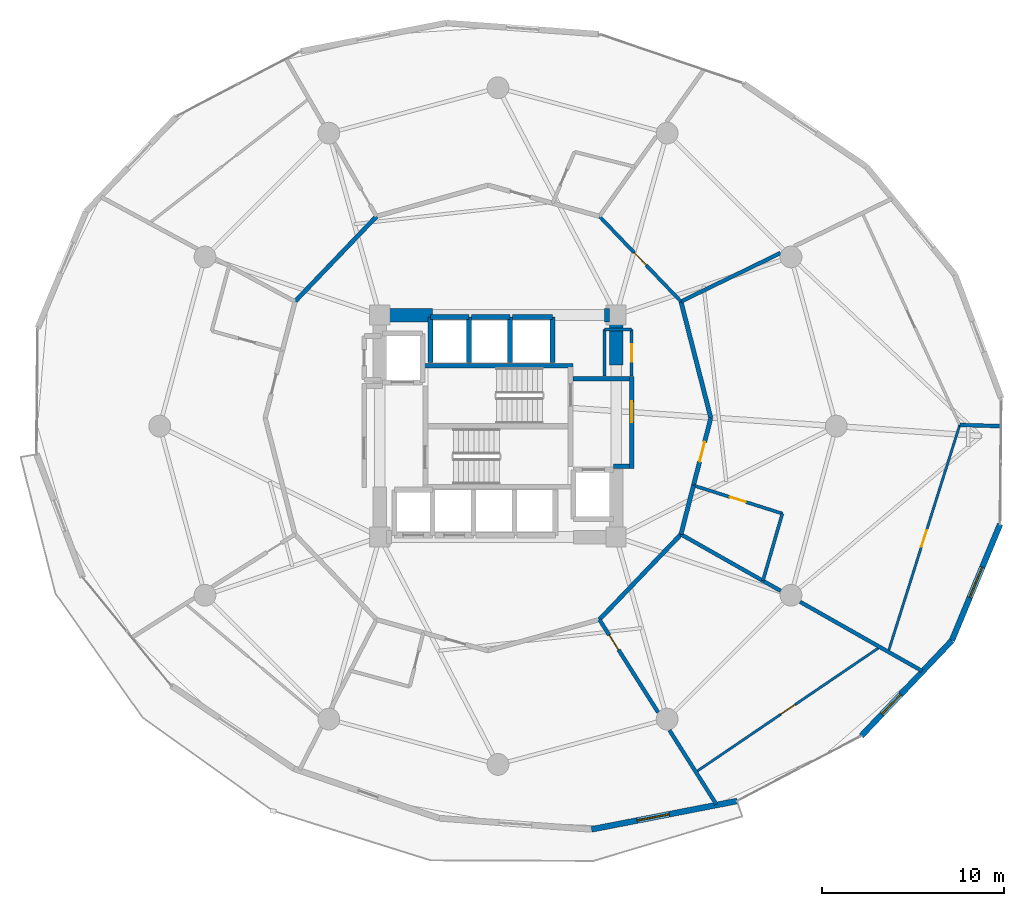
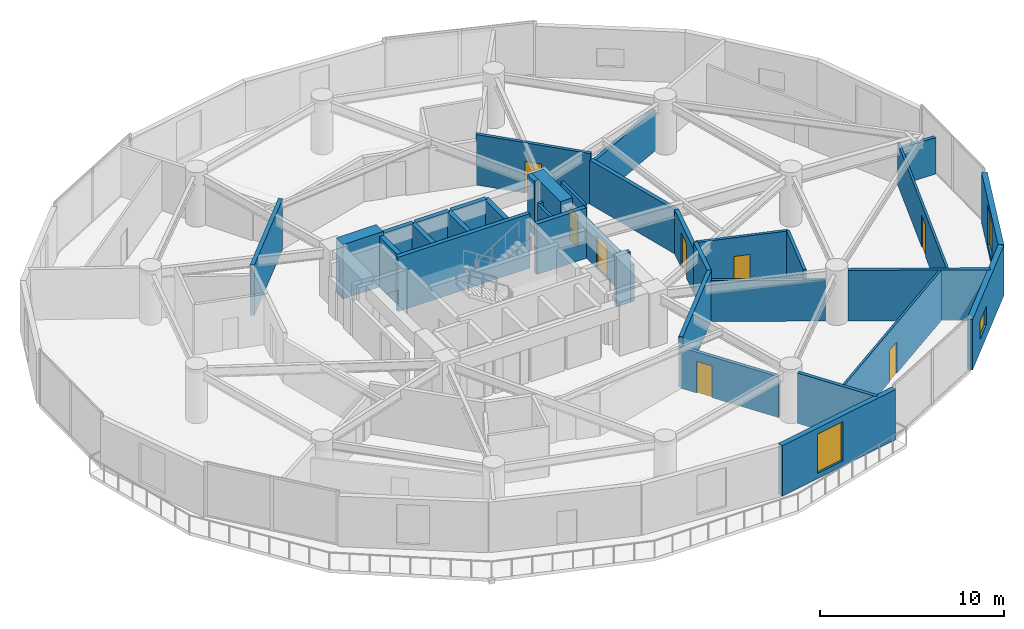
# One storey, part 16 of 20: 36 walls, 8 doors, 3 windows, 11 openings.
"""IFC4 building model written with IfcOpenShell, lengths in metres."""

from ifc_helpers import new_model, si_unit, direction, frame, frame_2d, origin, place, context, subcontext, project, spatial, rectangle, extrude, material, layer, layer_set, type_object, element, fill, save


model = new_model("IFC4")

# Units and contexts
model_context = context("Model", 3, precision=1e-05, world=origin(), true_north=direction((0.0, 1.0)))
body_context = subcontext(model_context, "Body", "Model", "MODEL_VIEW")
ifc_project = project(units=[si_unit("LENGTHUNIT", "METRE"), si_unit("AREAUNIT", "SQUARE_METRE"), si_unit("VOLUMEUNIT", "CUBIC_METRE"), si_unit("PLANEANGLEUNIT", "RADIAN"), si_unit("MASSUNIT", "GRAM", prefix="KILO")], contexts=[model_context])

# Site, building, storey
site_placement = place(None, origin())
site = spatial("IfcSite", under=ifc_project, at=site_placement, CompositionType="ELEMENT")
building_placement = place(site_placement, origin())
building = spatial("IfcBuilding", under=site, at=building_placement, Name="Solvirekh Grand Hotel", CompositionType="ELEMENT")
storey_placement = place(building_placement, frame((0.0, 0.0, 50.0)))
storey = spatial("IfcBuildingStorey", under=building, at=storey_placement, Name="L11", CompositionType="ELEMENT", Elevation=50.0)

# Walls
ifc_material_1 = material(Name="Concrete C50/60", Category="concrete")
ifc_layer_1 = layer(ifc_material_1, 0.35009765625)
ifc_layer_set_1 = layer_set([ifc_layer_1], Name="Concrete C50/60")
wall_type_1 = type_object("IfcWallType", Name="CoreDivWall_RC350", PredefinedType="SOLIDWALL", material=ifc_layer_set_1)
wall_1_placement = place(storey_placement, frame((-4.1298828125, 3.324951171875, 0.0), z_axis=(0.0, 0.0, 1.0), x_axis=(1.0, 0.0, 0.0)))
element("IfcWall", 1, at=wall_1_placement, inside=storey, type_object=wall_type_1, Name="L11 core stair box wall ST-N", PredefinedType="SOLIDWALL", context=body_context, shape_type="SweptSolid", body=[
    extrude(rectangle(XDim=8.259765625, YDim=0.25, at=frame_2d((4.1298828125, 0.0))), origin(), (0.0, 0.0, 1.0), 3.60009765625),
])
ifc_material_2 = material(Name="Concrete C40/50", Category="concrete")
ifc_layer_2 = layer(ifc_material_2, 0.280029296875)
ifc_layer_set_2 = layer_set([ifc_layer_2], Name="Concrete C40/50")
wall_type_2 = type_object("IfcWallType", Name="CoreShaftWall_RC280", PredefinedType="SOLIDWALL", material=ifc_layer_set_2)
wall_2_placement = place(storey_placement, frame((-1.60009765625, 6.0, 0.0), z_axis=(0.0, 0.0, 1.0), x_axis=(-1.0, 0.0, 0.0)))
element("IfcWall", 2, at=wall_2_placement, inside=storey, type_object=wall_type_2, Name="L11 HP-1 hoistway N wall", PredefinedType="SOLIDWALL", context=body_context, shape_type="SweptSolid", body=[
    extrude(rectangle(XDim=2.099853515625, YDim=0.280029296875, at=frame_2d((1.0498046875, 0.0))), origin(), (0.0, 0.0, 1.0), 3.340087890625),
])
for number, where, z_axis, x_axis, name in (
    (3, (-3.699951171875, 6.0, 0.0), (0.0, 0.0, 1.0), (0.0, -1.0, 0.0), "L11 HP-1 hoistway W wall"),
    (4, (-1.60009765625, 3.5, 0.0), (0.0, 0.0, 1.0), (0.0, 1.0, 0.0), "L11 HP-1 hoistway E wall"),
):
    element("IfcWall", number, at=place(storey_placement, frame(where, z_axis=z_axis, x_axis=x_axis)), inside=storey, type_object=wall_type_2, Name=name, PredefinedType="SOLIDWALL", context=body_context, shape_type="SweptSolid", body=[
        extrude(rectangle(XDim=2.5, YDim=0.280029296875, at=frame_2d((1.25, 0.0))), origin(), (0.0, 0.0, 1.0), 3.340087890625),
    ])
wall_3_placement = place(storey_placement, frame((0.64990234375, 6.0, 0.0), z_axis=(0.0, 0.0, 1.0), x_axis=(-1.0, 0.0, 0.0)))
element("IfcWall", 5, at=wall_3_placement, inside=storey, type_object=wall_type_2, Name="L11 HP-2 hoistway N wall", PredefinedType="SOLIDWALL", context=body_context, shape_type="SweptSolid", body=[
    extrude(rectangle(XDim=2.099853515625, YDim=0.280029296875, at=frame_2d((1.0498046875, 0.0))), origin(), (0.0, 0.0, 1.0), 3.340087890625),
])
wall_4_placement = place(storey_placement, frame((0.64990234375, 3.5, 0.0), z_axis=(0.0, 0.0, 1.0), x_axis=(0.0, 1.0, 0.0)))
element("IfcWall", 6, at=wall_4_placement, inside=storey, type_object=wall_type_2, Name="L11 HP-2 hoistway E wall", PredefinedType="SOLIDWALL", context=body_context, shape_type="SweptSolid", body=[
    extrude(rectangle(XDim=2.5, YDim=0.280029296875, at=frame_2d((1.25, 0.0))), origin(), (0.0, 0.0, 1.0), 3.340087890625),
])
wall_5_placement = place(storey_placement, frame((3.0, 6.0, 0.0), z_axis=(0.0, 0.0, 1.0), x_axis=(-1.0, 0.0, 0.0)))
element("IfcWall", 7, at=wall_5_placement, inside=storey, type_object=wall_type_2, Name="L11 EX-1 hoistway N wall", PredefinedType="SOLIDWALL", context=body_context, shape_type="SweptSolid", body=[
    extrude(rectangle(XDim=2.199951171875, YDim=0.280029296875, at=frame_2d((1.10009765625, 0.0))), origin(), (0.0, 0.0, 1.0), 3.340087890625),
])
wall_6_placement = place(storey_placement, frame((3.0, 3.5, 0.0), z_axis=(0.0, 0.0, 1.0), x_axis=(0.0, 1.0, 0.0)))
element("IfcWall", 8, at=wall_6_placement, inside=storey, type_object=wall_type_2, Name="L11 EX-1 hoistway E wall", PredefinedType="SOLIDWALL", context=body_context, shape_type="SweptSolid", body=[
    extrude(rectangle(XDim=2.5, YDim=0.280029296875, at=frame_2d((1.25, 0.0))), origin(), (0.0, 0.0, 1.0), 3.340087890625),
])
ifc_material_3 = material(Name="Concrete C60/75", Category="concrete")
ifc_layer_3 = layer(ifc_material_3, 0.75)
ifc_layer_set_3 = layer_set([ifc_layer_3], Name="Concrete C60/75")
wall_type_3 = type_object("IfcWallType", Name="CoreWall_RC750", PredefinedType="SHEAR", material=ifc_layer_set_3)
wall_7_placement = place(storey_placement, frame((-6.125, 6.10009765625, 0.0), z_axis=(0.0, 0.0, 1.0), x_axis=(1.0, 0.0, 0.0)))
element("IfcWall", 9, at=wall_7_placement, inside=storey, type_object=wall_type_3, Name="L11 core corner shear wall NW-N", PredefinedType="SHEAR", context=body_context, shape_type="SweptSolid", body=[
    extrude(rectangle(XDim=2.52490234375, YDim=0.75, at=frame_2d((1.262451171875, 0.0))), origin(), (0.0, 0.0, 1.0), 3.60009765625),
])
wall_8_placement = place(storey_placement, frame((5.85009765625, 6.10009765625, 0.0), z_axis=(0.0, 0.0, 1.0), x_axis=(1.0, 0.0, 0.0)))
element("IfcWall", 10, at=wall_8_placement, inside=storey, type_object=wall_type_3, Name="L11 core corner shear wall NE-N", PredefinedType="SHEAR", context=body_context, shape_type="SweptSolid", body=[
    extrude(rectangle(XDim=0.27490234375, YDim=0.75, at=frame_2d((0.137451171875, 0.0))), origin(), (0.0, 0.0, 1.0), 3.60009765625),
])
wall_9_placement = place(storey_placement, frame((6.5, 3.35009765625, 0.0), z_axis=(0.0, 0.0, 1.0), x_axis=(0.0, 1.0, 0.0)))
element("IfcWall", 11, at=wall_9_placement, inside=storey, type_object=wall_type_3, Name="L11 core corner shear wall EN-E", PredefinedType="SHEAR", context=body_context, shape_type="SweptSolid", body=[
    extrude(rectangle(XDim=3.125, YDim=0.75, at=frame_2d((1.5625, 0.0))), origin(), (0.0, 0.0, 1.0), 3.60009765625),
])

# Wall, opening, window
ifc_material_4 = material(Name="Precast concrete C45/55", Category="concrete")
ifc_layer_4 = layer(ifc_material_4, 0.320068359375)
ifc_layer_set_4 = layer_set([ifc_layer_4], Name="Precast concrete C45/55")
wall_type_4 = type_object("IfcWallType", Name="ExtLobbyWall_RC320", PredefinedType="SOLIDWALL", material=ifc_layer_set_4)
wall_10_placement = place(storey_placement, frame((13.14599609375, -20.60888671875, 0.0), z_axis=(0.0, 0.0, 1.0), x_axis=(-0.981529850993, -0.191309047382, 0.0)))
wall_10 = element("IfcWall", 12, at=wall_10_placement, inside=storey, type_object=wall_type_4, Name="L11 exterior structural wall chord 17", PredefinedType="SOLIDWALL", context=body_context, shape_type="SweptSolid", body=[
    extrude(rectangle(XDim=8.149658203125, YDim=0.320068359375, at=frame_2d((4.07470703125, 0.0))), origin(), (0.0, 0.0, 1.0), 3.340087890625),
])
opening_1_placement = place(wall_10_placement, frame((3.802001953125, 0.0, 0.35009765625)))
opening_1 = element("IfcOpeningElement", 13, at=opening_1_placement, cuts=wall_10, Name="Opening W02", PredefinedType="OPENING", context=body_context, shape_type="SweptSolid", body=[
    extrude(rectangle(XDim=1.800048828125, YDim=2.60009765625, at=frame_2d((0.89990234375, 1.300048828125))), frame((0.0, 0.169921875, 0.0), z_axis=(0.0, -1.0, 0.0), x_axis=(1.0, 0.0, 0.0)), (0.0, 0.0, 1.0), 0.340087890625),
])
ifc_material_5 = material(Name="Low-E Tinted Bronze Laminated Glass", Category="aluminium")
window_type_1 = type_object("IfcWindowType", Name="Win_LobbyExt_1800X2600", PartitioningType="SINGLE_PANEL", PredefinedType="WINDOW", material=ifc_material_5)
window_1_placement = place(opening_1_placement, origin())
window_1 = element("IfcWindow", 14, at=window_1_placement, inside=storey, type_object=window_type_1, Name="L11 panoramic bronze-framed window 17", OverallHeight=2.60009765625, OverallWidth=1.800048828125, PartitioningType="SINGLE_PANEL", PredefinedType="WINDOW", context=body_context, shape_type="SweptSolid", body=[
    extrude(rectangle(XDim=1.800048828125, YDim=2.60009765625, at=frame_2d((0.89990234375, 1.300048828125))), frame((0.0, 0.030029296875, 0.0), z_axis=(0.0, -1.0, 0.0), x_axis=(1.0, 0.0, 0.0)), (0.0, 0.0, 1.0), 0.06005859375),
])
fill(opening_1, window_1)

wall_11_placement = place(storey_placement, frame((24.9541015625, -11.7900390625, 0.0), z_axis=(0.0, 0.0, 1.0), x_axis=(-0.688922418365, -0.724835085708, 0.0)))
wall_11 = element("IfcWall", 15, at=wall_11_placement, inside=storey, type_object=wall_type_4, Name="L11 cantilevered deck support wall chord 19", PredefinedType="SOLIDWALL", context=body_context, shape_type="SweptSolid", body=[
    extrude(rectangle(XDim=7.233154296875, YDim=0.320068359375, at=frame_2d((3.61669921875, 0.0))), origin(), (0.0, 0.0, 1.0), 3.340087890625),
])
opening_2_placement = place(wall_11_placement, frame((4.0869140625, 0.0, 0.85009765625)))
opening_2 = element("IfcOpeningElement", 16, at=opening_2_placement, cuts=wall_11, Name="Opening W05", PredefinedType="OPENING", context=body_context, shape_type="SweptSolid", body=[
    extrude(rectangle(XDim=1.5, YDim=1.199951171875, at=frame_2d((0.75, 0.60009765625))), frame((0.0, 0.169921875, 0.0), z_axis=(0.0, -1.0, 0.0), x_axis=(1.0, 0.0, 0.0)), (0.0, 0.0, 1.0), 0.340087890625),
])
window_type_2 = type_object("IfcWindowType", Name="Win_PlantVent_1500X1200", PartitioningType="SINGLE_PANEL", PredefinedType="WINDOW", material=ifc_material_5)
window_2_placement = place(opening_2_placement, origin())
window_2 = element("IfcWindow", 17, at=window_2_placement, inside=storey, type_object=window_type_2, Name="L11 bronze-framed vision ribbon window 19", OverallHeight=1.199951171875, OverallWidth=1.5, PartitioningType="SINGLE_PANEL", PredefinedType="WINDOW", context=body_context, shape_type="SweptSolid", body=[
    extrude(rectangle(XDim=1.5, YDim=1.199951171875, at=frame_2d((0.75, 0.60009765625))), frame((0.0, 0.030029296875, 0.0), z_axis=(0.0, -1.0, 0.0), x_axis=(1.0, 0.0, 0.0)), (0.0, 0.0, 1.0), 0.06005859375),
])
fill(opening_2, window_2)

wall_12_placement = place(storey_placement, frame((27.60595703125, -5.39208984375, 0.0), z_axis=(0.0, 0.0, 1.0), x_axis=(-0.382897635177, -0.923790777707, 0.0)))
wall_12 = element("IfcWall", 18, at=wall_12_placement, inside=storey, type_object=wall_type_4, Name="L11 exterior structural wall chord 20", PredefinedType="SOLIDWALL", context=body_context, shape_type="SweptSolid", body=[
    extrude(rectangle(XDim=6.92578125, YDim=0.320068359375, at=frame_2d((3.462890625, 0.0))), origin(), (0.0, 0.0, 1.0), 3.340087890625),
])
opening_3_placement = place(wall_12_placement, frame((2.56298828125, 0.0, 0.35009765625)))
opening_3 = element("IfcOpeningElement", 19, at=opening_3_placement, cuts=wall_12, Name="Opening W02", PredefinedType="OPENING", context=body_context, shape_type="SweptSolid", body=[
    extrude(rectangle(XDim=1.800048828125, YDim=2.60009765625, at=frame_2d((0.89990234375, 1.300048828125))), frame((0.0, 0.169921875, 0.0), z_axis=(0.0, -1.0, 0.0), x_axis=(1.0, 0.0, 0.0)), (0.0, 0.0, 1.0), 0.340087890625),
])
window_3_placement = place(opening_3_placement, origin())
window_3 = element("IfcWindow", 20, at=window_3_placement, inside=storey, type_object=window_type_1, Name="L11 panoramic bronze-framed window 20", OverallHeight=2.60009765625, OverallWidth=1.800048828125, PartitioningType="SINGLE_PANEL", PredefinedType="WINDOW", context=body_context, shape_type="SweptSolid", body=[
    extrude(rectangle(XDim=1.800048828125, YDim=2.60009765625, at=frame_2d((0.89990234375, 1.300048828125))), frame((0.0, 0.030029296875, 0.0), z_axis=(0.0, -1.0, 0.0), x_axis=(1.0, 0.0, 0.0)), (0.0, 0.0, 1.0), 0.06005859375),
])
fill(opening_3, window_3)

# Wall, opening, door
ifc_material_6 = material(Name="Acoustic Gypsum Partition Assembly")
ifc_layer_5 = layer(ifc_material_6, 0.1650390625)
ifc_layer_set_5 = layer_set([ifc_layer_5], Name="Acoustic Gypsum Partition Assembly")
wall_type_5 = type_object("IfcWallType", Name="Part_BOH_165", PredefinedType="PARTITIONING", material=ifc_layer_set_5)
wall_13_placement = place(storey_placement, frame((7.35009765625, 2.75, 0.0), z_axis=(0.0, 0.0, 1.0), x_axis=(0.0, 1.0, 0.0)))
wall_13 = element("IfcWall", 21, at=wall_13_placement, inside=storey, type_object=wall_type_5, Name="L11 L11 Core Housekeeping & Linen Room wall 2", PredefinedType="PARTITIONING", context=body_context, shape_type="SweptSolid", body=[
    extrude(rectangle(XDim=2.550048828125, YDim=0.1650390625, at=frame_2d((1.27490234375, 0.0))), origin(), (0.0, 0.0, 1.0), 3.340087890625),
])
opening_4_placement = place(wall_13_placement, frame((0.800048828125, 0.0, 0.0)))
opening_4 = element("IfcOpeningElement", 22, at=opening_4_placement, cuts=wall_13, Name="Opening D10", PredefinedType="OPENING", context=body_context, shape_type="SweptSolid", body=[
    extrude(rectangle(XDim=0.949951171875, YDim=2.10009765625, at=frame_2d((0.47509765625, 1.050048828125))), frame((0.0, 0.092529296875, 0.0), z_axis=(0.0, -1.0, 0.0), x_axis=(1.0, 0.0, 0.0)), (0.0, 0.0, 1.0), 0.18505859375),
])
ifc_material_7 = material(Name="Anodized Bronze Aluminium 6063-T6", Category="aluminium")
door_type_1 = type_object("IfcDoorType", Name="Door_RoomInt_950X2100", OperationType="NOTDEFINED", PredefinedType="DOOR", material=ifc_material_7)
door_1_placement = place(opening_4_placement, origin())
door_1 = element("IfcDoor", 23, at=door_1_placement, inside=storey, type_object=door_type_1, Name="L11 L11 Core Housekeeping & Linen Room door", OperationType="SINGLE_SWING_LEFT", OverallHeight=2.10009765625, OverallWidth=0.949951171875, PredefinedType="DOOR", context=body_context, shape_type="SweptSolid", body=[
    extrude(rectangle(XDim=0.949951171875, YDim=2.10009765625, at=frame_2d((0.47509765625, 1.050048828125))), frame((0.0, 0.02490234375, 0.0), z_axis=(0.0, -1.0, 0.0), x_axis=(1.0, 0.0, 0.0)), (0.0, 0.0, 1.0), 0.050048828125),
])
fill(opening_4, door_1)

# Walls
wall_14_placement = place(storey_placement, frame((7.35009765625, 5.300048828125, 0.0), z_axis=(0.0, 0.0, 1.0), x_axis=(-1.0, 0.0, 0.0)))
element("IfcWall", 24, at=wall_14_placement, inside=storey, type_object=wall_type_5, Name="L11 L11 Core Housekeeping & Linen Room wall 3", PredefinedType="PARTITIONING", context=body_context, shape_type="SweptSolid", body=[
    extrude(rectangle(XDim=1.5, YDim=0.1650390625, at=frame_2d((0.75, 0.0))), origin(), (0.0, 0.0, 1.0), 2.425048828125),
])
wall_15_placement = place(storey_placement, frame((5.85009765625, 5.300048828125, 0.0), z_axis=(0.0, 0.0, 1.0), x_axis=(0.0, -1.0, 0.0)))
element("IfcWall", 25, at=wall_15_placement, inside=storey, type_object=wall_type_5, Name="L11 L11 Core Housekeeping & Linen Room wall 4", PredefinedType="PARTITIONING", context=body_context, shape_type="SweptSolid", body=[
    extrude(rectangle(XDim=2.550048828125, YDim=0.1650390625, at=frame_2d((1.27490234375, 0.0))), origin(), (0.0, 0.0, 1.0), 2.425048828125),
])

# Wall, opening, door
ifc_layer_6 = layer(ifc_material_6, 0.239990234375)
ifc_layer_set_6 = layer_set([ifc_layer_6], Name="Acoustic Gypsum Partition Assembly")
wall_type_6 = type_object("IfcWallType", Name="Part_Corridor_240", PredefinedType="PARTITIONING", material=ifc_layer_set_6)
wall_16_placement = place(storey_placement, frame((7.35009765625, -2.340087890625, 0.0), z_axis=(0.0, 0.0, 1.0), x_axis=(0.0, 1.0, 0.0)))
wall_16 = element("IfcWall", 26, at=wall_16_placement, inside=storey, type_object=wall_type_6, Name="L11 east firefighting lobby smoke screen wall", PredefinedType="PARTITIONING", context=body_context, shape_type="SweptSolid", body=[
    extrude(rectangle(XDim=5.070068359375, YDim=0.239990234375, at=frame_2d((2.53515625, 0.0))), origin(), (0.0, 0.0, 1.0), 2.425048828125),
])
opening_5_placement = place(wall_16_placement, frame((2.548095703125, 0.0, 0.0)))
opening_5 = element("IfcOpeningElement", 27, at=opening_5_placement, cuts=wall_16, Name="Opening D06", PredefinedType="OPENING", context=body_context, shape_type="SweptSolid", body=[
    extrude(rectangle(XDim=1.14990234375, YDim=2.199951171875, at=frame_2d((0.574951171875, 1.10009765625))), frame((0.0, 0.1298828125, 0.0), z_axis=(0.0, -1.0, 0.0), x_axis=(1.0, 0.0, 0.0)), (0.0, 0.0, 1.0), 0.260009765625),
])
ifc_material_8 = material(Name="Fire-Rated Steel Door Assembly", Category="steel")
door_type_2 = type_object("IfcDoorType", Name="Door_FFLobby_1150X2200", OperationType="NOTDEFINED", PredefinedType="DOOR", material=ifc_material_8)
door_2_placement = place(opening_5_placement, origin())
door_2 = element("IfcDoor", 28, at=door_2_placement, inside=storey, type_object=door_type_2, Name="L11 east firefighting lobby smoke door", OperationType="SINGLE_SWING_LEFT", OverallHeight=2.199951171875, OverallWidth=1.14990234375, PredefinedType="DOOR", context=body_context, shape_type="SweptSolid", body=[
    extrude(rectangle(XDim=1.14990234375, YDim=2.199951171875, at=frame_2d((0.574951171875, 1.10009765625))), frame((0.0, 0.02490234375, 0.0), z_axis=(0.0, -1.0, 0.0), x_axis=(1.0, 0.0, 0.0)), (0.0, 0.0, 1.0), 0.050048828125),
])
fill(opening_5, door_2)

# Walls
wall_17_placement = place(storey_placement, frame((-6.675048828125, 11.534912109375, 0.0), z_axis=(0.0, 0.0, 1.0), x_axis=(-0.691444859665, -0.722429239471, 0.0)))
element("IfcWall", 29, at=wall_17_placement, inside=storey, type_object=wall_type_6, Name="L11 Diplomatic Suite 1301 Suite Foyer corridor enclosure wall", PredefinedType="PARTITIONING", context=body_context, shape_type="SweptSolid", body=[
    extrude(rectangle(XDim=6.48486328125, YDim=0.239990234375, at=frame_2d((3.242431640625, 0.0))), origin(), (0.0, 0.0, 1.0), 3.340087890625),
])
wall_18_placement = place(storey_placement, frame((5.574951171875, -10.635009765625, 0.0), z_axis=(0.0, 0.0, 1.0), x_axis=(0.691445702336, 0.722428432941, 0.0)))
element("IfcWall", 30, at=wall_18_placement, inside=storey, type_object=wall_type_6, Name="L11 Diplomatic Suite 1303 Suite Foyer corridor enclosure wall", PredefinedType="PARTITIONING", context=body_context, shape_type="SweptSolid", body=[
    extrude(rectangle(XDim=6.485107421875, YDim=0.239990234375, at=frame_2d((3.24267578125, 0.0))), origin(), (0.0, 0.0, 1.0), 3.340087890625),
])
wall_19_placement = place(storey_placement, frame((10.05908203125, -5.949951171875, 0.0), z_axis=(0.0, 0.0, 1.0), x_axis=(0.248286444079, 0.968686658154, 0.0)))
element("IfcWall", 31, at=wall_19_placement, inside=storey, type_object=wall_type_6, Name="L11 En-suite Bathroom 1304 corridor backing wall", PredefinedType="PARTITIONING", context=body_context, shape_type="SweptSolid", body=[
    extrude(rectangle(XDim=2.77490234375, YDim=0.239990234375, at=frame_2d((1.387451171875, 0.0))), origin(), (0.0, 0.0, 1.0), 3.340087890625),
])
wall_20_placement = place(storey_placement, frame((11.699951171875, 0.449951171875, 0.0), z_axis=(0.0, 0.0, 1.0), x_axis=(-0.248347790771, 0.968670932164, 0.0)))
element("IfcWall", 32, at=wall_20_placement, inside=storey, type_object=wall_type_6, Name="L11 Executive Suite 1304 Living Room corridor wall 1", PredefinedType="PARTITIONING", context=body_context, shape_type="SweptSolid", body=[
    extrude(rectangle(XDim=6.607177734375, YDim=0.239990234375, at=frame_2d((3.3037109375, 0.0))), origin(), (0.0, 0.0, 1.0), 2.9189453125),
])

# Wall, opening, door
wall_21_placement = place(storey_placement, frame((10.748046875, -3.261962890625, 0.0), z_axis=(0.0, 0.0, 1.0), x_axis=(0.248407539497, 0.968655611826, 0.0)))
wall_21 = element("IfcWall", 33, at=wall_21_placement, inside=storey, type_object=wall_type_6, Name="L11 Executive Suite 1304 Living Room entrance wall", PredefinedType="PARTITIONING", context=body_context, shape_type="SweptSolid", body=[
    extrude(rectangle(XDim=3.83203125, YDim=0.239990234375, at=frame_2d((1.916015625, 0.0))), origin(), (0.0, 0.0, 1.0), 2.9189453125),
])
opening_6_placement = place(wall_21_placement, frame((1.365966796875, 0.0, 0.0)))
opening_6 = element("IfcOpeningElement", 34, at=opening_6_placement, cuts=wall_21, Name="Opening D08", PredefinedType="OPENING", context=body_context, shape_type="SweptSolid", body=[
    extrude(rectangle(XDim=1.10009765625, YDim=2.300048828125, at=frame_2d((0.550048828125, 1.14990234375))), frame((0.0, 0.1298828125, 0.0), z_axis=(0.0, -1.0, 0.0), x_axis=(1.0, 0.0, 0.0)), (0.0, 0.0, 1.0), 0.260009765625),
])
door_type_3 = type_object("IfcDoorType", Name="Door_SuiteEntry_1100X2300", OperationType="NOTDEFINED", PredefinedType="DOOR", material=ifc_material_8)
door_3_placement = place(opening_6_placement, origin())
door_3 = element("IfcDoor", 35, at=door_3_placement, inside=storey, type_object=door_type_3, Name="L11 Executive Suite 1304 Living Room entrance door", OperationType="SINGLE_SWING_LEFT", OverallHeight=2.300048828125, OverallWidth=1.10009765625, PredefinedType="DOOR", context=body_context, shape_type="SweptSolid", body=[
    extrude(rectangle(XDim=1.10009765625, YDim=2.300048828125, at=frame_2d((0.550048828125, 1.14990234375))), frame((0.0, 0.02490234375, 0.0), z_axis=(0.0, -1.0, 0.0), x_axis=(1.0, 0.0, 0.0)), (0.0, 0.0, 1.0), 0.050048828125),
])
fill(opening_6, door_3)

ifc_layer_7 = layer(ifc_material_6, 0.18994140625)
ifc_layer_set_7 = layer_set([ifc_layer_7], Name="Acoustic Gypsum Partition Assembly")
wall_type_7 = type_object("IfcWallType", Name="Part_GuestDemise_190", PredefinedType="PARTITIONING", material=ifc_layer_set_7)
wall_22_placement = place(storey_placement, frame((10.05908203125, 6.85009765625, 0.0), z_axis=(0.0, 0.0, 1.0), x_axis=(-0.691464507588, 0.722410433719, 0.0)))
wall_22 = element("IfcWall", 36, at=wall_22_placement, inside=storey, type_object=wall_type_7, Name="L11 L11 Diplomatic Study Lounge entrance wall", PredefinedType="PARTITIONING", context=body_context, shape_type="SweptSolid", body=[
    extrude(rectangle(XDim=6.48486328125, YDim=0.18994140625, at=frame_2d((3.242431640625, 0.0))), origin(), (0.0, 0.0, 1.0), 3.340087890625),
])
opening_7_placement = place(wall_22_placement, frame((2.76806640625, 0.0, 0.0)))
opening_7 = element("IfcOpeningElement", 37, at=opening_7_placement, cuts=wall_22, Name="Opening D10", PredefinedType="OPENING", context=body_context, shape_type="SweptSolid", body=[
    extrude(rectangle(XDim=0.949951171875, YDim=2.10009765625, at=frame_2d((0.47509765625, 1.050048828125))), frame((0.0, 0.10498046875, 0.0), z_axis=(0.0, -1.0, 0.0), x_axis=(1.0, 0.0, 0.0)), (0.0, 0.0, 1.0), 0.2099609375),
])
door_4_placement = place(opening_7_placement, origin())
door_4 = element("IfcDoor", 38, at=door_4_placement, inside=storey, type_object=door_type_1, Name="L11 L11 Diplomatic Study Lounge entrance door", OperationType="SINGLE_SWING_RIGHT", OverallHeight=2.10009765625, OverallWidth=0.949951171875, PredefinedType="DOOR", context=body_context, shape_type="SweptSolid", body=[
    extrude(rectangle(XDim=0.949951171875, YDim=2.10009765625, at=frame_2d((0.47509765625, 1.050048828125))), frame((0.0, 0.02490234375, 0.0), z_axis=(0.0, -1.0, 0.0), x_axis=(1.0, 0.0, 0.0)), (0.0, 0.0, 1.0), 0.050048828125),
])
fill(opening_7, door_4)

# Walls
ifc_layer_8 = layer(ifc_material_6, 0.260009765625)
ifc_layer_set_8 = layer_set([ifc_layer_8], Name="Acoustic Gypsum Partition Assembly")
wall_type_8 = type_object("IfcWallType", Name="Part_LobbyFF_260", PredefinedType="PARTITIONING", material=ifc_layer_set_8)
wall_23_placement = place(storey_placement, frame((6.35009765625, -2.2099609375, 0.0), z_axis=(0.0, 0.0, 1.0), x_axis=(1.0, 0.0, 0.0)))
element("IfcWall", 39, at=wall_23_placement, inside=storey, type_object=wall_type_8, Name="L11 east firefighting lobby SE cheek", PredefinedType="PARTITIONING", context=body_context, shape_type="SweptSolid", body=[
    extrude(rectangle(XDim=0.875, YDim=0.260009765625, at=frame_2d((0.4375, 0.0))), origin(), (0.0, 0.0, 1.0), 3.340087890625),
])
wall_24_placement = place(storey_placement, frame((4.1298828125, 2.60009765625, 0.0), z_axis=(0.0, 0.0, 1.0), x_axis=(1.0, 0.0, 0.0)))
element("IfcWall", 40, at=wall_24_placement, inside=storey, type_object=wall_type_8, Name="L11 east firefighting lobby north partition", PredefinedType="PARTITIONING", context=body_context, shape_type="SweptSolid", body=[
    extrude(rectangle(XDim=3.09521484375, YDim=0.260009765625, at=frame_2d((1.547607421875, 0.0))), origin(), (0.0, 0.0, 1.0), 3.340087890625),
])

# Wall, opening, door
ifc_layer_9 = layer(ifc_material_6, 0.135009765625)
ifc_layer_set_9 = layer_set([ifc_layer_9], Name="Acoustic Gypsum Partition Assembly")
wall_type_9 = type_object("IfcWallType", Name="Part_RoomInt_135", PredefinedType="PARTITIONING", material=ifc_layer_set_9)
wall_25_placement = place(storey_placement, frame((10.8798828125, -19.014892578125, 0.0), z_axis=(0.0, 0.0, 1.0), x_axis=(0.827254691241, 0.561827087119, 0.0)))
wall_25 = element("IfcWall", 41, at=wall_25_placement, inside=storey, type_object=wall_type_9, Name="L11 Diplomatic Suite 1303 Suite Foyer bedroom screen wall", PredefinedType="PARTITIONING", context=body_context, shape_type="SweptSolid", body=[
    extrude(rectangle(XDim=12.22607421875, YDim=0.135009765625, at=frame_2d((6.113037109375, 0.0))), origin(), (0.0, 0.0, 1.0), 3.340087890625),
])
opening_8_placement = place(wall_25_placement, frame((5.637939453125, 0.0, 0.0)))
opening_8 = element("IfcOpeningElement", 42, at=opening_8_placement, cuts=wall_25, Name="Opening D10", PredefinedType="OPENING", context=body_context, shape_type="SweptSolid", body=[
    extrude(rectangle(XDim=0.949951171875, YDim=2.10009765625, at=frame_2d((0.47509765625, 1.050048828125))), frame((0.0, 0.07763671875, 0.0), z_axis=(0.0, -1.0, 0.0), x_axis=(1.0, 0.0, 0.0)), (0.0, 0.0, 1.0), 0.155029296875),
])
door_5_placement = place(opening_8_placement, origin())
door_5 = element("IfcDoor", 43, at=door_5_placement, inside=storey, type_object=door_type_1, Name="L11 Diplomatic Suite 1303 Suite Foyer master bedroom door", OperationType="SINGLE_SWING_LEFT", OverallHeight=2.10009765625, OverallWidth=0.949951171875, PredefinedType="DOOR", context=body_context, shape_type="SweptSolid", body=[
    extrude(rectangle(XDim=0.949951171875, YDim=2.10009765625, at=frame_2d((0.47509765625, 1.050048828125))), frame((0.0, 0.02490234375, 0.0), z_axis=(0.0, -1.0, 0.0), x_axis=(1.0, 0.0, 0.0)), (0.0, 0.0, 1.0), 0.050048828125),
])
fill(opening_8, door_5)

wall_26_placement = place(storey_placement, frame((21.45703125, -12.408935546875, 0.0), z_axis=(0.0, 0.0, 1.0), x_axis=(0.300535318397, 0.953770686484, 0.0)))
wall_26 = element("IfcWall", 44, at=wall_26_placement, inside=storey, type_object=wall_type_9, Name="L11 Executive Suite 1304 Living Room bedroom screen wall", PredefinedType="PARTITIONING", context=body_context, shape_type="SweptSolid", body=[
    extrude(rectangle(XDim=13.076416015625, YDim=0.135009765625, at=frame_2d((6.5380859375, 0.0))), origin(), (0.0, 0.0, 1.0), 2.806884765625),
])
opening_9_placement = place(wall_26_placement, frame((6.06298828125, 0.0, 0.0)))
opening_9 = element("IfcOpeningElement", 45, at=opening_9_placement, cuts=wall_26, Name="Opening D10", PredefinedType="OPENING", context=body_context, shape_type="SweptSolid", body=[
    extrude(rectangle(XDim=0.949951171875, YDim=2.10009765625, at=frame_2d((0.47509765625, 1.050048828125))), frame((0.0, 0.07763671875, 0.0), z_axis=(0.0, -1.0, 0.0), x_axis=(1.0, 0.0, 0.0)), (0.0, 0.0, 1.0), 0.155029296875),
])
door_6_placement = place(opening_9_placement, origin())
door_6 = element("IfcDoor", 46, at=door_6_placement, inside=storey, type_object=door_type_1, Name="L11 Executive Suite 1304 Living Room master bedroom door", OperationType="SINGLE_SWING_RIGHT", OverallHeight=2.10009765625, OverallWidth=0.949951171875, PredefinedType="DOOR", context=body_context, shape_type="SweptSolid", body=[
    extrude(rectangle(XDim=0.949951171875, YDim=2.10009765625, at=frame_2d((0.47509765625, 1.050048828125))), frame((0.0, 0.02490234375, 0.0), z_axis=(0.0, -1.0, 0.0), x_axis=(1.0, 0.0, 0.0)), (0.0, 0.0, 1.0), 0.050048828125),
])
fill(opening_9, door_6)

# Wall
ifc_layer_10 = layer(ifc_material_6, 0.2099609375)
ifc_layer_set_10 = layer_set([ifc_layer_10], Name="Acoustic Gypsum Partition Assembly")
wall_type_10 = type_object("IfcWallType", Name="Part_SuiteDemise_210", PredefinedType="PARTITIONING", material=ifc_layer_set_10)
wall_27_placement = place(storey_placement, frame((10.05908203125, 6.85009765625, 0.0), z_axis=(0.0, 0.0, 1.0), x_axis=(0.898932322455, 0.438087525097, 0.0)))
element("IfcWall", 47, at=wall_27_placement, inside=storey, type_object=wall_type_10, Name="L11 suite radial wall 2 (A)", PredefinedType="PARTITIONING", context=body_context, shape_type="SweptSolid", body=[
    extrude(rectangle(XDim=6.082763671875, YDim=0.2099609375, at=frame_2d((3.04150390625, 0.0))), origin(), (0.0, 0.0, 1.0), 2.7080078125),
])

# Wall, opening, door
wall_28_placement = place(storey_placement, frame((5.574951171875, -10.635009765625, 0.0), z_axis=(0.0, 0.0, 1.0), x_axis=(0.534853877246, -0.844944572144, 0.0)))
wall_28 = element("IfcWall", 48, at=wall_28_placement, inside=storey, type_object=wall_type_10, Name="L11 suite radial wall 11 (A)", PredefinedType="PARTITIONING", context=body_context, shape_type="SweptSolid", body=[
    extrude(rectangle(XDim=6.037109375, YDim=0.2099609375, at=frame_2d((3.0185546875, 0.0))), origin(), (0.0, 0.0, 1.0), 2.7080078125),
])
opening_10_placement = place(wall_28_placement, frame((1.01708984375, 0.0, 0.0)))
opening_10 = element("IfcOpeningElement", 49, at=opening_10_placement, cuts=wall_28, Name="Opening D10", PredefinedType="OPENING", context=body_context, shape_type="SweptSolid", body=[
    extrude(rectangle(XDim=0.949951171875, YDim=2.10009765625, at=frame_2d((0.47509765625, 1.050048828125))), frame((0.0, 0.114990234375, 0.0), z_axis=(0.0, -1.0, 0.0), x_axis=(1.0, 0.0, 0.0)), (0.0, 0.0, 1.0), 0.22998046875),
])
door_7_placement = place(opening_10_placement, origin())
door_7 = element("IfcDoor", 50, at=door_7_placement, inside=storey, type_object=door_type_1, Name="L11 Diplomatic Suite 1303 Suite Foyer suite connecting door", OperationType="SINGLE_SWING_RIGHT", OverallHeight=2.10009765625, OverallWidth=0.949951171875, PredefinedType="DOOR", context=body_context, shape_type="SweptSolid", body=[
    extrude(rectangle(XDim=0.949951171875, YDim=2.10009765625, at=frame_2d((0.47509765625, 1.050048828125))), frame((0.0, 0.02490234375, 0.0), z_axis=(0.0, -1.0, 0.0), x_axis=(1.0, 0.0, 0.0)), (0.0, 0.0, 1.0), 0.050048828125),
])
fill(opening_10, door_7)

# Walls
wall_29_placement = place(storey_placement, frame((9.424072265625, -16.715087890625, 0.0), z_axis=(0.0, 0.0, 1.0), x_axis=(0.534778847244, -0.844992061821, 0.0)))
element("IfcWall", 51, at=wall_29_placement, inside=storey, type_object=wall_type_10, Name="L11 suite radial wall 11 (B)", PredefinedType="PARTITIONING", context=body_context, shape_type="SweptSolid", body=[
    extrude(rectangle(XDim=4.825927734375, YDim=0.2099609375, at=frame_2d((2.4130859375, 0.0))), origin(), (0.0, 0.0, 1.0), 3.340087890625),
])
wall_30_placement = place(storey_placement, frame((10.05908203125, -5.949951171875, 0.0), z_axis=(0.0, 0.0, 1.0), x_axis=(0.870045461468, -0.492971495097, 0.0)))
element("IfcWall", 52, at=wall_30_placement, inside=storey, type_object=wall_type_10, Name="L11 suite radial wall 12 (A)", PredefinedType="PARTITIONING", context=body_context, shape_type="SweptSolid", body=[
    extrude(rectangle(XDim=6.298583984375, YDim=0.2099609375, at=frame_2d((3.1494140625, 0.0))), origin(), (0.0, 0.0, 1.0), 2.7080078125),
])
wall_31_placement = place(storey_placement, frame((16.611083984375, -9.662109375, 0.0), z_axis=(0.0, 0.0, 1.0), x_axis=(0.870016294914, -0.493022967603, 0.0)))
element("IfcWall", 53, at=wall_31_placement, inside=storey, type_object=wall_type_10, Name="L11 suite radial wall 12 (B)", PredefinedType="PARTITIONING", context=body_context, shape_type="SweptSolid", body=[
    extrude(rectangle(XDim=7.703125, YDim=0.2099609375, at=frame_2d((3.8515625, 0.0))), origin(), (0.0, 0.0, 1.0), 3.340087890625),
])
wall_32_placement = place(storey_placement, frame((25.386962890625, 0.06298828125, 0.0), z_axis=(0.0, 0.0, 1.0), x_axis=(0.999600618216, -0.028259583552, 0.0)))
element("IfcWall", 54, at=wall_32_placement, inside=storey, type_object=wall_type_10, Name="L11 Executive Suite 1304 Living Room dividing partition 1", PredefinedType="PARTITIONING", context=body_context, shape_type="SweptSolid", body=[
    extrude(rectangle(XDim=2.22900390625, YDim=0.2099609375, at=frame_2d((1.114501953125, 0.0))), origin(), (0.0, 0.0, 1.0), 2.4189453125),
])
ifc_layer_11 = layer(ifc_material_6, 0.175048828125)
ifc_layer_set_11 = layer_set([ifc_layer_11], Name="Acoustic Gypsum Partition Assembly")
wall_type_11 = type_object("IfcWallType", Name="Plumb_Ensuite_175", PredefinedType="PLUMBINGWALL", material=ifc_layer_set_11)
wall_33_placement = place(storey_placement, frame((14.56494140625, -8.5029296875, 0.0), z_axis=(0.0, 0.0, 1.0), x_axis=(0.277862399165, 0.960620886266, 0.0)))
element("IfcWall", 55, at=wall_33_placement, inside=storey, type_object=wall_type_11, Name="L11 En-suite Bathroom 1304 outer plumbing wall", PredefinedType="PLUMBINGWALL", context=body_context, shape_type="SweptSolid", body=[
    extrude(rectangle(XDim=3.84765625, YDim=0.175048828125, at=frame_2d((1.923828125, 0.0))), origin(), (0.0, 0.0, 1.0), 3.340087890625),
])

# Wall, opening, door
wall_34_placement = place(storey_placement, frame((10.748046875, -3.261962890625, 0.0), z_axis=(0.0, 0.0, 1.0), x_axis=(0.953471714391, -0.301482486817, 0.0)))
wall_34 = element("IfcWall", 56, at=wall_34_placement, inside=storey, type_object=wall_type_11, Name="L11 En-suite Bathroom 1304 entry plumbing wall", PredefinedType="PLUMBINGWALL", context=body_context, shape_type="SweptSolid", body=[
    extrude(rectangle(XDim=5.12451171875, YDim=0.175048828125, at=frame_2d((2.562255859375, 0.0))), origin(), (0.0, 0.0, 1.0), 3.340087890625),
])
opening_11_placement = place(wall_34_placement, frame((2.112060546875, 0.0, 0.0)))
opening_11 = element("IfcOpeningElement", 57, at=opening_11_placement, cuts=wall_34, Name="Opening D09", PredefinedType="OPENING", context=body_context, shape_type="SweptSolid", body=[
    extrude(rectangle(XDim=0.89990234375, YDim=2.10009765625, at=frame_2d((0.449951171875, 1.050048828125))), frame((0.0, 0.09765625, 0.0), z_axis=(0.0, -1.0, 0.0), x_axis=(1.0, 0.0, 0.0)), (0.0, 0.0, 1.0), 0.195068359375),
])
door_type_4 = type_object("IfcDoorType", Name="Door_Ensuite_900X2100", OperationType="NOTDEFINED", PredefinedType="DOOR", material=ifc_material_7)
door_8_placement = place(opening_11_placement, origin())
door_8 = element("IfcDoor", 58, at=door_8_placement, inside=storey, type_object=door_type_4, Name="L11 En-suite Bathroom 1304 door", OperationType="SINGLE_SWING_RIGHT", OverallHeight=2.10009765625, OverallWidth=0.89990234375, PredefinedType="DOOR", context=body_context, shape_type="SweptSolid", body=[
    extrude(rectangle(XDim=0.89990234375, YDim=2.10009765625, at=frame_2d((0.449951171875, 1.050048828125))), frame((0.0, 0.02490234375, 0.0), z_axis=(0.0, -1.0, 0.0), x_axis=(1.0, 0.0, 0.0)), (0.0, 0.0, 1.0), 0.050048828125),
])
fill(opening_11, door_8)

save(model, "model.ifc")
